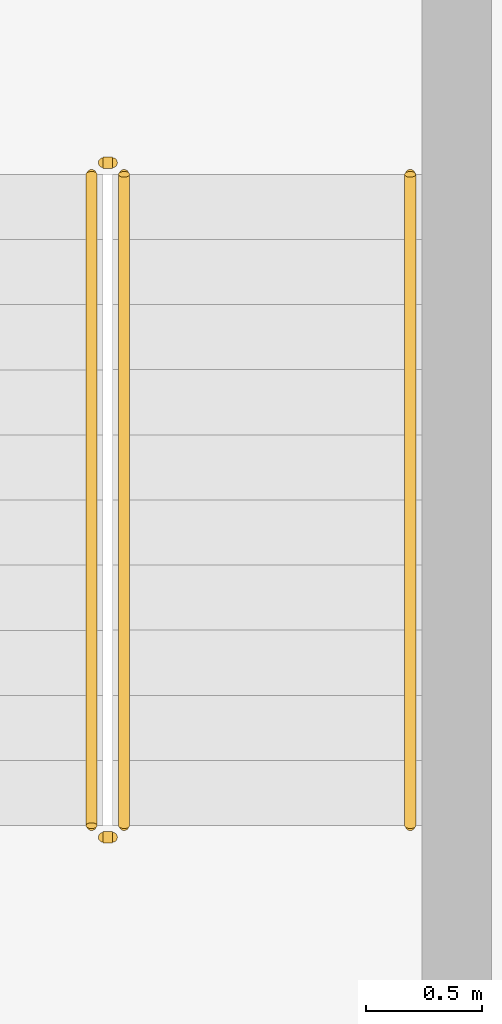
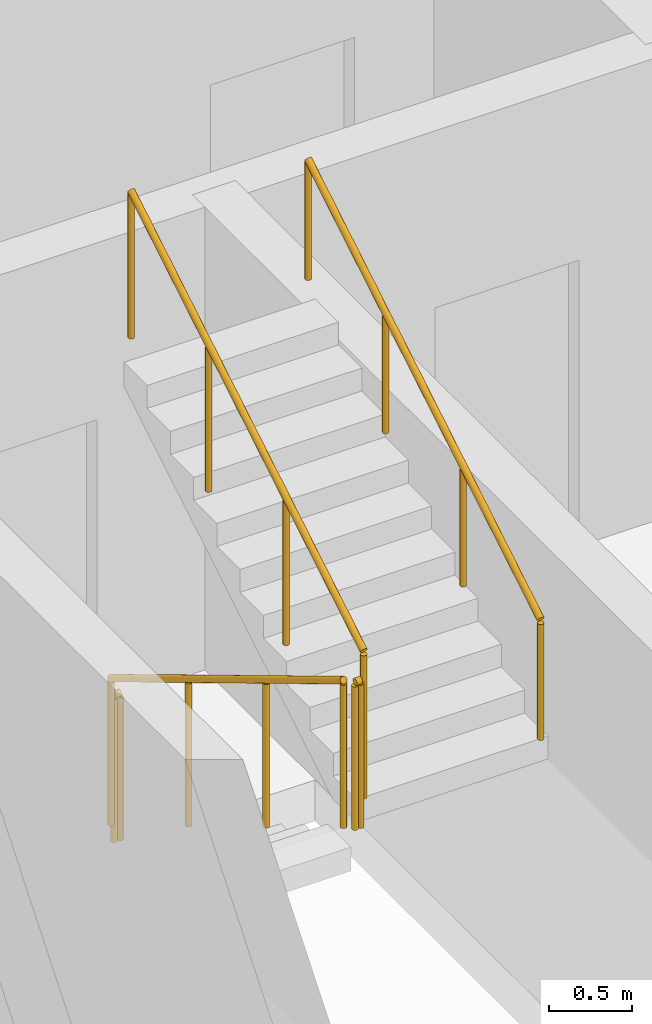
# One storey, part 19 of 20: 5 railings.
"""IFC4 building model written with IfcOpenShell, lengths in metres."""

from ifc_helpers import new_model, si_unit, direction, frame, origin, origin_2d, place, context, subcontext, project, spatial, circle, extrude, material, type_object, element, save


model = new_model("IFC4")

# Units and contexts
model_context = context("Model", 3, precision=1e-05, world=origin(), true_north=direction((0.0, 1.0)))
body_context = subcontext(model_context, "Body", "Model", "MODEL_VIEW")
ifc_project = project(units=[si_unit("LENGTHUNIT", "METRE"), si_unit("AREAUNIT", "SQUARE_METRE"), si_unit("VOLUMEUNIT", "CUBIC_METRE"), si_unit("PLANEANGLEUNIT", "RADIAN"), si_unit("MASSUNIT", "GRAM", prefix="KILO")], contexts=[model_context])

# Site, building, storey
site_placement = place(None, origin())
site = spatial("IfcSite", under=ifc_project, at=site_placement, CompositionType="ELEMENT")
building_placement = place(site_placement, origin())
building = spatial("IfcBuilding", under=site, at=building_placement, Name="Ogive Portal Towers", CompositionType="ELEMENT")
storey_placement = place(building_placement, frame((0.0, 0.0, 232.800048828125)))
storey = spatial("IfcBuildingStorey", under=building, at=storey_placement, Name="L58", CompositionType="ELEMENT", Elevation=232.800048828125)

# Railings
ifc_material_1 = material(Name="Stainless steel balustrade", Category="steel")
railing_type_1 = type_object("IfcRailingType", Name="INT-GUARD", PredefinedType="GUARDRAIL", material=ifc_material_1)
railing_1_placement = place(storey_placement, frame((88.280029296875, 29.169921875, 0.168212890625)))
element("IfcRailing", 1, at=railing_1_placement, inside=storey, type_object=railing_type_1, Name="L58 ST-A4 stair guard 1", PredefinedType="GUARDRAIL", context=body_context, shape_type="SweptSolid", body=[
    extrude(circle(Radius=0.02392578125, at=origin_2d()), frame((0.0, 0.0, 1.076171875), z_axis=(0.0, -0.857255387014, 0.514891446264), x_axis=(1.0, 0.0, 0.0)), (0.0, 0.0, 1.0), 3.26611328125),
    extrude(circle(Radius=0.02099609375, at=origin_2d()), origin(), (0.0, 0.0, 1.0), 1.052001953125),
    extrude(circle(Radius=0.02099609375, at=origin_2d()), frame((0.0, -0.933349609375, 0.560546875)), (0.0, 0.0, 1.0), 1.052001953125),
    extrude(circle(Radius=0.02099609375, at=origin_2d()), frame((0.0, -1.866455078125, 1.12109375)), (0.0, 0.0, 1.0), 1.052001953125),
    extrude(circle(Radius=0.02099609375, at=origin_2d()), frame((0.0, -2.7998046875, 1.681640625)), (0.0, 0.0, 1.0), 1.052001953125),
])
railing_2_placement = place(storey_placement, frame((88.330078125, 26.320068359375, 1.849853515625)))
element("IfcRailing", 2, at=railing_2_placement, inside=storey, type_object=railing_type_1, Name="L58 ST-A4 stair guard 2", PredefinedType="GUARDRAIL", context=body_context, shape_type="SweptSolid", body=[
    extrude(circle(Radius=0.02392578125, at=origin_2d()), frame((0.0, 0.0, 1.076171875), z_axis=(1.0, 0.0, 0.0), x_axis=(0.0, 1.0, 0.0)), (0.0, 0.0, 1.0), 0.0400390625),
    extrude(circle(Radius=0.02099609375, at=origin_2d()), origin(), (0.0, 0.0, 1.0), 1.052001953125),
    extrude(circle(Radius=0.02099609375, at=origin_2d()), frame((0.0400390625, 0.0, 0.0)), (0.0, 0.0, 1.0), 1.052001953125),
])
railing_3_placement = place(storey_placement, frame((88.419921875, 26.3701171875, 2.01806640625)))
element("IfcRailing", 3, at=railing_3_placement, inside=storey, type_object=railing_type_1, Name="L58 ST-A4 stair guard 3", PredefinedType="GUARDRAIL", context=body_context, shape_type="SweptSolid", body=[
    extrude(circle(Radius=0.02392578125, at=origin_2d()), frame((0.0, 0.0, 1.076171875), z_axis=(0.0, 0.857222391501, 0.514946377315), x_axis=(-1.0, 0.0, 0.0)), (0.0, 0.0, 1.0), 3.26611328125),
    extrude(circle(Radius=0.02099609375, at=origin_2d()), origin(), (0.0, 0.0, 1.0), 1.052001953125),
    extrude(circle(Radius=0.02099609375, at=origin_2d()), frame((0.0, 0.933349609375, 0.560546875)), (0.0, 0.0, 1.0), 1.052001953125),
    extrude(circle(Radius=0.02099609375, at=origin_2d()), frame((0.0, 1.866455078125, 1.121337890625)), (0.0, 0.0, 1.0), 1.052001953125),
    extrude(circle(Radius=0.02099609375, at=origin_2d()), frame((0.0, 2.7998046875, 1.681884765625)), (0.0, 0.0, 1.0), 1.052001953125),
])
railing_4_placement = place(storey_placement, frame((88.330078125, 29.219970703125, 0.0)))
element("IfcRailing", 4, at=railing_4_placement, inside=storey, type_object=railing_type_1, Name="L58 ST-A4 stair guard 4", PredefinedType="GUARDRAIL", context=body_context, shape_type="SweptSolid", body=[
    extrude(circle(Radius=0.02392578125, at=origin_2d()), frame((0.0, 0.0, 1.076171875), z_axis=(1.0, 0.0, 0.0), x_axis=(0.0, 1.0, 0.0)), (0.0, 0.0, 1.0), 0.0400390625),
    extrude(circle(Radius=0.02099609375, at=origin_2d()), origin(), (0.0, 0.0, 1.0), 1.052001953125),
    extrude(circle(Radius=0.02099609375, at=origin_2d()), frame((0.0400390625, 0.0, 0.0)), (0.0, 0.0, 1.0), 1.052001953125),
])
ifc_material_2 = material(Name="Stainless steel handrail", Category="steel")
railing_type_2 = type_object("IfcRailingType", Name="INT-HANDRAIL", PredefinedType="HANDRAIL", material=ifc_material_2)
railing_5_placement = place(storey_placement, frame((89.64990234375, 26.3701171875, 2.01806640625)))
element("IfcRailing", 5, at=railing_5_placement, inside=storey, type_object=railing_type_2, Name="L58 ST-A4 stair handrail 2", PredefinedType="HANDRAIL", context=body_context, shape_type="SweptSolid", body=[
    extrude(circle(Radius=0.02392578125, at=origin_2d()), frame((0.0, 0.0, 0.8759765625), z_axis=(0.0, 0.857222391501, 0.514946377315), x_axis=(-1.0, 0.0, 0.0)), (0.0, 0.0, 1.0), 3.26611328125),
    extrude(circle(Radius=0.02099609375, at=origin_2d()), origin(), (0.0, 0.0, 1.0), 0.851806640625),
    extrude(circle(Radius=0.02099609375, at=origin_2d()), frame((0.0, 0.933349609375, 0.560546875)), (0.0, 0.0, 1.0), 0.851806640625),
    extrude(circle(Radius=0.02099609375, at=origin_2d()), frame((0.0, 1.866455078125, 1.121337890625)), (0.0, 0.0, 1.0), 0.851806640625),
    extrude(circle(Radius=0.02099609375, at=origin_2d()), frame((0.0, 2.7998046875, 1.681884765625)), (0.0, 0.0, 1.0), 0.851806640625),
])

save(model, "model.ifc")
